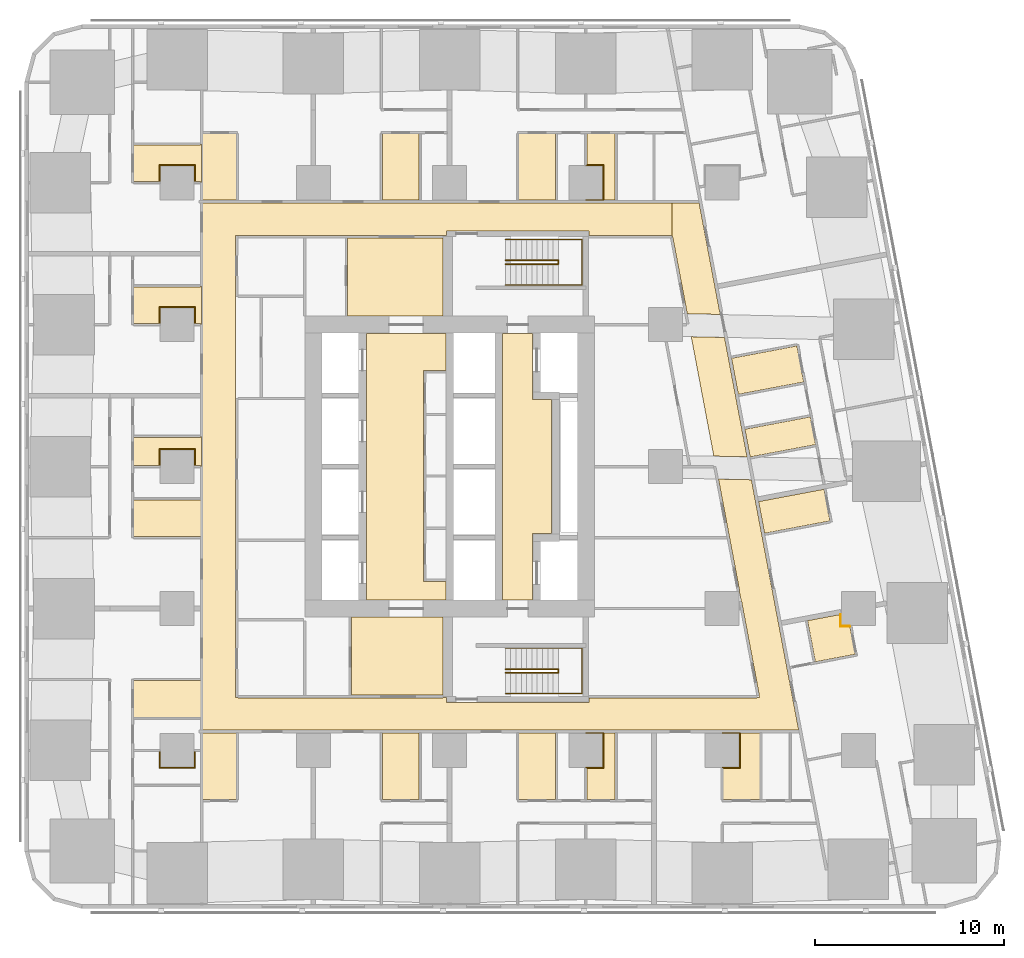
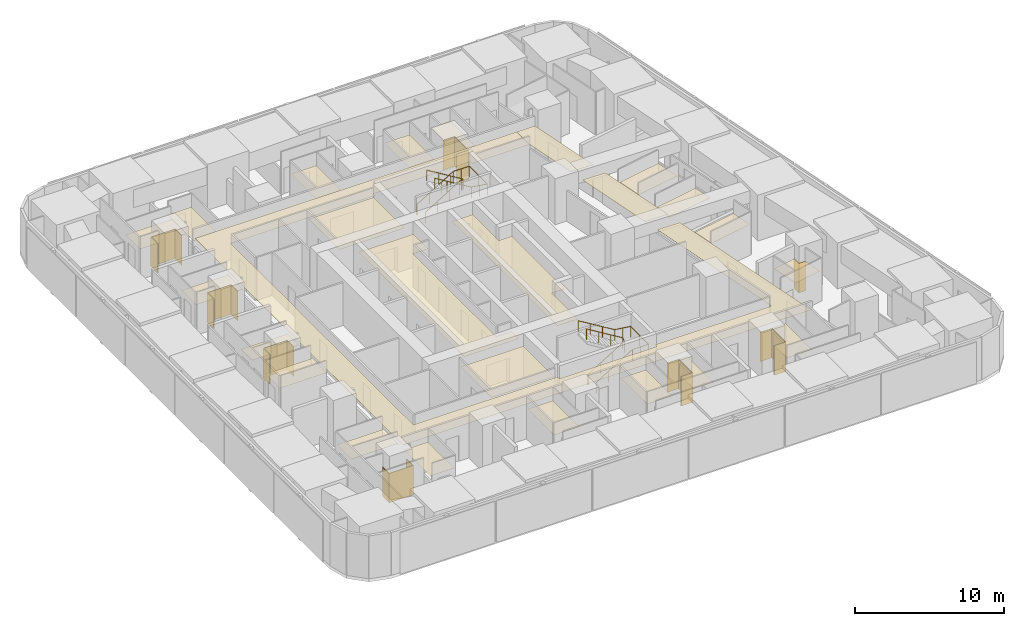
# One storey, part 16 of 17: 33 coverings, 4 railings.
"""IFC4 building model written with IfcOpenShell, lengths in metres."""

from ifc_helpers import new_model, si_unit, direction, frame, origin, origin_2d, place, context, subcontext, project, spatial, polyline, circle, outline, extrude, material, layer, layer_set, type_object, element, save


model = new_model("IFC4")

# Units and contexts
model_context = context("Model", 3, precision=1e-05, world=origin(), true_north=direction((0.0, 1.0)))
body_context = subcontext(model_context, "Body", "Model", "MODEL_VIEW")
ifc_project = project(units=[si_unit("LENGTHUNIT", "METRE"), si_unit("AREAUNIT", "SQUARE_METRE"), si_unit("VOLUMEUNIT", "CUBIC_METRE"), si_unit("PLANEANGLEUNIT", "RADIAN"), si_unit("MASSUNIT", "GRAM", prefix="KILO")], contexts=[model_context])

# Site, building, storey
site_placement = place(None, origin())
site = spatial("IfcSite", under=ifc_project, at=site_placement, CompositionType="ELEMENT")
building_placement = place(site_placement, origin())
building = spatial("IfcBuilding", under=site, at=building_placement, Name="Sheger Commons Tower", CompositionType="ELEMENT")
storey_placement = place(building_placement, frame((0.0, 0.0, 27.5)))
storey = spatial("IfcBuildingStorey", under=building, at=storey_placement, Name="L06", CompositionType="ELEMENT", Elevation=27.5)

# Railings
ifc_material_1 = material(Name="Steel handrail, black powder-coated", Category="steel")
railing_type = type_object("IfcRailingType", Name="HANDRAIL 900", PredefinedType="HANDRAIL", material=ifc_material_1)
railing_1_placement = place(storey_placement, frame((24.550048828125, 11.60009765625, 0.17041015625)))
element("IfcRailing", 1, at=railing_1_placement, inside=storey, type_object=railing_type, Name="Stair S1 handrail L06", PredefinedType="HANDRAIL", context=body_context, shape_type="SweptSolid", body=[
    extrude(circle(Radius=0.02392578125, at=origin_2d()), frame((0.0, 0.0, 0.8759765625), z_axis=(0.854169791009, 0.0, 0.51999420009), x_axis=(0.0, 1.0, 0.0)), (0.0, 0.0, 1.0), 3.278076171875),
    extrude(circle(Radius=0.02392578125, at=origin_2d()), frame((2.800048828125, 0.0, 2.58056640625), z_axis=(0.0, 0.761090297175, 0.648645943136), x_axis=(-1.0, 0.0, 0.0)), (0.0, 0.0, 1.0), 0.2626953125),
    extrude(circle(Radius=0.02392578125, at=origin_2d()), frame((2.800048828125, 0.199951171875, 2.7509765625), z_axis=(-0.854169791009, 0.0, 0.51999420009), x_axis=(0.0, -1.0, 0.0)), (0.0, 0.0, 1.0), 3.278076171875),
    extrude(circle(Radius=0.02099609375, at=origin_2d()), origin(), (0.0, 0.0, 1.0), 0.851806640625),
    extrude(circle(Radius=0.02099609375, at=origin_2d()), frame((0.933349609375, 0.0, 0.568115234375)), (0.0, 0.0, 1.0), 0.851806640625),
    extrude(circle(Radius=0.02099609375, at=origin_2d()), frame((1.86669921875, 0.0, 1.136474609375)), (0.0, 0.0, 1.0), 0.851806640625),
    extrude(circle(Radius=0.02099609375, at=origin_2d()), frame((2.800048828125, 0.0, 1.70458984375)), (0.0, 0.0, 1.0), 0.851806640625),
    extrude(circle(Radius=0.02099609375, at=origin_2d()), frame((2.800048828125, 0.199951171875, 1.875)), (0.0, 0.0, 1.0), 0.851806640625),
    extrude(circle(Radius=0.02099609375, at=origin_2d()), frame((1.86669921875, 0.199951171875, 2.443115234375)), (0.0, 0.0, 1.0), 0.851806640625),
    extrude(circle(Radius=0.02099609375, at=origin_2d()), frame((0.933349609375, 0.199951171875, 3.011474609375)), (0.0, 0.0, 1.0), 0.851806640625),
    extrude(circle(Radius=0.02099609375, at=origin_2d()), frame((0.0, 0.199951171875, 3.57958984375)), (0.0, 0.0, 1.0), 0.851806640625),
])
railing_2_placement = place(storey_placement, frame((24.550048828125, 10.5, 0.17041015625)))
element("IfcRailing", 2, at=railing_2_placement, inside=storey, type_object=railing_type, Name="Stair S1 handrail L06", PredefinedType="HANDRAIL", context=body_context, shape_type="SweptSolid", body=[
    extrude(circle(Radius=0.02392578125, at=origin_2d()), frame((0.0, 0.0, 0.8759765625), z_axis=(0.854169791009, 0.0, 0.51999420009), x_axis=(0.0, 1.0, 0.0)), (0.0, 0.0, 1.0), 3.278076171875),
    extrude(circle(Radius=0.02392578125, at=origin_2d()), frame((2.800048828125, 0.0, 2.58056640625), z_axis=(1.0, 0.0, 0.0), x_axis=(0.0, 1.0, 0.0)), (0.0, 0.0, 1.0), 1.25),
    extrude(circle(Radius=0.02392578125, at=origin_2d()), frame((4.050048828125, 0.0, 2.58056640625), z_axis=(0.0, 1.0, 0.0), x_axis=(-1.0, 0.0, 0.0)), (0.0, 0.0, 1.0), 2.39990234375),
    extrude(circle(Radius=0.02392578125, at=origin_2d()), frame((4.050048828125, 2.39990234375, 2.58056640625), z_axis=(-0.990834877927, 0.0, 0.135078661092), x_axis=(0.0, -1.0, 0.0)), (0.0, 0.0, 1.0), 1.261474609375),
    extrude(circle(Radius=0.02392578125, at=origin_2d()), frame((2.800048828125, 2.39990234375, 2.7509765625), z_axis=(-0.854169791009, 0.0, 0.51999420009), x_axis=(0.0, -1.0, 0.0)), (0.0, 0.0, 1.0), 3.278076171875),
    extrude(circle(Radius=0.02099609375, at=origin_2d()), origin(), (0.0, 0.0, 1.0), 0.851806640625),
    extrude(circle(Radius=0.02099609375, at=origin_2d()), frame((0.933349609375, 0.0, 0.568115234375)), (0.0, 0.0, 1.0), 0.851806640625),
    extrude(circle(Radius=0.02099609375, at=origin_2d()), frame((1.86669921875, 0.0, 1.136474609375)), (0.0, 0.0, 1.0), 0.851806640625),
    extrude(circle(Radius=0.02099609375, at=origin_2d()), frame((2.800048828125, 0.0, 1.70458984375)), (0.0, 0.0, 1.0), 0.851806640625),
    extrude(circle(Radius=0.02099609375, at=origin_2d()), frame((3.425048828125, 0.0, 1.70458984375)), (0.0, 0.0, 1.0), 0.851806640625),
    extrude(circle(Radius=0.02099609375, at=origin_2d()), frame((4.050048828125, 0.0, 1.70458984375)), (0.0, 0.0, 1.0), 0.851806640625),
    extrude(circle(Radius=0.02099609375, at=origin_2d()), frame((4.050048828125, 1.199951171875, 1.70458984375)), (0.0, 0.0, 1.0), 0.851806640625),
    extrude(circle(Radius=0.02099609375, at=origin_2d()), frame((4.050048828125, 2.39990234375, 1.70458984375)), (0.0, 0.0, 1.0), 0.851806640625),
    extrude(circle(Radius=0.02099609375, at=origin_2d()), frame((3.425048828125, 2.39990234375, 1.789794921875)), (0.0, 0.0, 1.0), 0.851806640625),
    extrude(circle(Radius=0.02099609375, at=origin_2d()), frame((2.800048828125, 2.39990234375, 1.875)), (0.0, 0.0, 1.0), 0.851806640625),
    extrude(circle(Radius=0.02099609375, at=origin_2d()), frame((1.86669921875, 2.39990234375, 2.443115234375)), (0.0, 0.0, 1.0), 0.851806640625),
    extrude(circle(Radius=0.02099609375, at=origin_2d()), frame((0.933349609375, 2.39990234375, 3.011474609375)), (0.0, 0.0, 1.0), 0.851806640625),
    extrude(circle(Radius=0.02099609375, at=origin_2d()), frame((0.0, 2.39990234375, 3.57958984375)), (0.0, 0.0, 1.0), 0.851806640625),
])
railing_3_placement = place(storey_placement, frame((24.550048828125, 33.39990234375, 0.17041015625)))
element("IfcRailing", 3, at=railing_3_placement, inside=storey, type_object=railing_type, Name="Stair S2 handrail L06", PredefinedType="HANDRAIL", context=body_context, shape_type="SweptSolid", body=[
    extrude(circle(Radius=0.02392578125, at=origin_2d()), frame((0.0, 0.0, 0.8759765625), z_axis=(0.854169791009, 0.0, 0.51999420009), x_axis=(0.0, 1.0, 0.0)), (0.0, 0.0, 1.0), 3.278076171875),
    extrude(circle(Radius=0.02392578125, at=origin_2d()), frame((2.800048828125, 0.0, 2.58056640625), z_axis=(0.0, -0.761090297175, 0.648645943136), x_axis=(1.0, 0.0, 0.0)), (0.0, 0.0, 1.0), 0.2626953125),
    extrude(circle(Radius=0.02392578125, at=origin_2d()), frame((2.800048828125, -0.199951171875, 2.7509765625), z_axis=(-0.854169791009, 0.0, 0.51999420009), x_axis=(0.0, -1.0, 0.0)), (0.0, 0.0, 1.0), 3.278076171875),
    extrude(circle(Radius=0.02099609375, at=origin_2d()), origin(), (0.0, 0.0, 1.0), 0.851806640625),
    extrude(circle(Radius=0.02099609375, at=origin_2d()), frame((0.933349609375, 0.0, 0.568115234375)), (0.0, 0.0, 1.0), 0.851806640625),
    extrude(circle(Radius=0.02099609375, at=origin_2d()), frame((1.86669921875, 0.0, 1.136474609375)), (0.0, 0.0, 1.0), 0.851806640625),
    extrude(circle(Radius=0.02099609375, at=origin_2d()), frame((2.800048828125, 0.0, 1.70458984375)), (0.0, 0.0, 1.0), 0.851806640625),
    extrude(circle(Radius=0.02099609375, at=origin_2d()), frame((2.800048828125, -0.199951171875, 1.875)), (0.0, 0.0, 1.0), 0.851806640625),
    extrude(circle(Radius=0.02099609375, at=origin_2d()), frame((1.86669921875, -0.199951171875, 2.443115234375)), (0.0, 0.0, 1.0), 0.851806640625),
    extrude(circle(Radius=0.02099609375, at=origin_2d()), frame((0.933349609375, -0.199951171875, 3.011474609375)), (0.0, 0.0, 1.0), 0.851806640625),
    extrude(circle(Radius=0.02099609375, at=origin_2d()), frame((0.0, -0.199951171875, 3.57958984375)), (0.0, 0.0, 1.0), 0.851806640625),
])
railing_4_placement = place(storey_placement, frame((24.550048828125, 34.5, 0.17041015625)))
element("IfcRailing", 4, at=railing_4_placement, inside=storey, type_object=railing_type, Name="Stair S2 handrail L06", PredefinedType="HANDRAIL", context=body_context, shape_type="SweptSolid", body=[
    extrude(circle(Radius=0.02392578125, at=origin_2d()), frame((0.0, 0.0, 0.8759765625), z_axis=(0.854169791009, 0.0, 0.51999420009), x_axis=(0.0, 1.0, 0.0)), (0.0, 0.0, 1.0), 3.278076171875),
    extrude(circle(Radius=0.02392578125, at=origin_2d()), frame((2.800048828125, 0.0, 2.58056640625), z_axis=(1.0, 0.0, 0.0), x_axis=(0.0, 1.0, 0.0)), (0.0, 0.0, 1.0), 1.25),
    extrude(circle(Radius=0.02392578125, at=origin_2d()), frame((4.050048828125, 0.0, 2.58056640625), z_axis=(0.0, -1.0, 0.0), x_axis=(1.0, 0.0, 0.0)), (0.0, 0.0, 1.0), 2.39990234375),
    extrude(circle(Radius=0.02392578125, at=origin_2d()), frame((4.050048828125, -2.39990234375, 2.58056640625), z_axis=(-0.990834877927, 0.0, 0.135078661092), x_axis=(0.0, -1.0, 0.0)), (0.0, 0.0, 1.0), 1.261474609375),
    extrude(circle(Radius=0.02392578125, at=origin_2d()), frame((2.800048828125, -2.39990234375, 2.7509765625), z_axis=(-0.854169791009, 0.0, 0.51999420009), x_axis=(0.0, -1.0, 0.0)), (0.0, 0.0, 1.0), 3.278076171875),
    extrude(circle(Radius=0.02099609375, at=origin_2d()), origin(), (0.0, 0.0, 1.0), 0.851806640625),
    extrude(circle(Radius=0.02099609375, at=origin_2d()), frame((0.933349609375, 0.0, 0.568115234375)), (0.0, 0.0, 1.0), 0.851806640625),
    extrude(circle(Radius=0.02099609375, at=origin_2d()), frame((1.86669921875, 0.0, 1.136474609375)), (0.0, 0.0, 1.0), 0.851806640625),
    extrude(circle(Radius=0.02099609375, at=origin_2d()), frame((2.800048828125, 0.0, 1.70458984375)), (0.0, 0.0, 1.0), 0.851806640625),
    extrude(circle(Radius=0.02099609375, at=origin_2d()), frame((3.425048828125, 0.0, 1.70458984375)), (0.0, 0.0, 1.0), 0.851806640625),
    extrude(circle(Radius=0.02099609375, at=origin_2d()), frame((4.050048828125, 0.0, 1.70458984375)), (0.0, 0.0, 1.0), 0.851806640625),
    extrude(circle(Radius=0.02099609375, at=origin_2d()), frame((4.050048828125, -1.199951171875, 1.70458984375)), (0.0, 0.0, 1.0), 0.851806640625),
    extrude(circle(Radius=0.02099609375, at=origin_2d()), frame((4.050048828125, -2.39990234375, 1.70458984375)), (0.0, 0.0, 1.0), 0.851806640625),
    extrude(circle(Radius=0.02099609375, at=origin_2d()), frame((3.425048828125, -2.39990234375, 1.789794921875)), (0.0, 0.0, 1.0), 0.851806640625),
    extrude(circle(Radius=0.02099609375, at=origin_2d()), frame((2.800048828125, -2.39990234375, 1.875)), (0.0, 0.0, 1.0), 0.851806640625),
    extrude(circle(Radius=0.02099609375, at=origin_2d()), frame((1.86669921875, -2.39990234375, 2.443115234375)), (0.0, 0.0, 1.0), 0.851806640625),
    extrude(circle(Radius=0.02099609375, at=origin_2d()), frame((0.933349609375, -2.39990234375, 3.011474609375)), (0.0, 0.0, 1.0), 0.851806640625),
    extrude(circle(Radius=0.02099609375, at=origin_2d()), frame((0.0, -2.39990234375, 3.57958984375)), (0.0, 0.0, 1.0), 0.851806640625),
])

# Coverings
ifc_material_2 = material(Name="Moisture-resistant gypsum plasterboard 15 mm on a suspended galvanised steel grid", Category="steel")
ifc_layer_1 = layer(ifc_material_2, 0.014892578125)
ifc_layer_set_1 = layer_set([ifc_layer_1], Name="MOISTURE-RESISTANT CEILING 15")
covering_type_1 = type_object("IfcCoveringType", Name="MOISTURE-RESISTANT CEILING 15", PredefinedType="CEILING", material=ifc_layer_set_1)
covering_1_placement = place(storey_placement, frame((0.0, 0.0, 2.39990234375)))
element("IfcCovering", 5, at=covering_1_placement, inside=storey, type_object=covering_type_1, Name="L06-01.B1 ceiling", PredefinedType="CEILING", context=body_context, shape_type="SweptSolid", body=[
    extrude(outline(polyline([(8.429931640625, 9.199951171875), (8.5, 9.199951171875), (8.5, 11.25), (8.429931640625, 11.25), (8.429931640625, 11.195068359375), (4.905029296875, 11.195068359375), (4.905029296875, 9.2548828125), (8.429931640625, 9.2548828125), (8.429931640625, 9.199951171875)])), origin(), (0.0, 0.0, 1.0), 0.01513671875),
])
covering_2_placement = place(storey_placement, frame((0.0, 0.0, 2.39990234375)))
element("IfcCovering", 6, at=covering_2_placement, inside=storey, type_object=covering_type_1, Name="L06-02.B1 ceiling", PredefinedType="CEILING", context=body_context, shape_type="SweptSolid", body=[
    extrude(outline(polyline([(8.429931640625, 18.75), (8.5, 18.75), (8.5, 20.800048828125), (8.429931640625, 20.800048828125), (8.429931640625, 20.7451171875), (4.905029296875, 20.7451171875), (4.905029296875, 18.804931640625), (8.429931640625, 18.804931640625), (8.429931640625, 18.75)])), origin(), (0.0, 0.0, 1.0), 0.01513671875),
])
covering_3_placement = place(storey_placement, frame((0.0, 0.0, 2.39990234375)))
element("IfcCovering", 7, at=covering_3_placement, inside=storey, type_object=covering_type_1, Name="L06-02.B2 ceiling", PredefinedType="CEILING", context=body_context, shape_type="SweptSolid", body=[
    extrude(outline(polyline([(8.429931640625, 22.5), (8.5, 22.5), (8.5, 24.10009765625), (8.429931640625, 24.10009765625), (8.429931640625, 24.044921875), (4.905029296875, 24.044921875), (4.905029296875, 22.554931640625), (6.294921875, 22.554931640625), (6.294921875, 23.405029296875), (8.10498046875, 23.405029296875), (8.10498046875, 22.554931640625), (8.429931640625, 22.554931640625), (8.429931640625, 22.5)])), origin(), (0.0, 0.0, 1.0), 0.01513671875),
])
covering_4_placement = place(storey_placement, frame((0.0, 0.0, 2.39990234375)))
element("IfcCovering", 8, at=covering_4_placement, inside=storey, type_object=covering_type_1, Name="L06-03.B1 ceiling", PredefinedType="CEILING", context=body_context, shape_type="SweptSolid", body=[
    extrude(outline(polyline([(8.429931640625, 30.0), (8.5, 30.0), (8.5, 32.050048828125), (8.429931640625, 32.050048828125), (8.429931640625, 31.9951171875), (4.905029296875, 31.9951171875), (4.905029296875, 30.054931640625), (6.294921875, 30.054931640625), (6.294921875, 30.905029296875), (8.10498046875, 30.905029296875), (8.10498046875, 30.054931640625), (8.429931640625, 30.054931640625), (8.429931640625, 30.0)])), origin(), (0.0, 0.0, 1.0), 0.01513671875),
])
covering_5_placement = place(storey_placement, frame((0.0, 0.0, 2.39990234375)))
element("IfcCovering", 9, at=covering_5_placement, inside=storey, type_object=covering_type_1, Name="L06-04.B1 ceiling", PredefinedType="CEILING", context=body_context, shape_type="SweptSolid", body=[
    extrude(outline(polyline([(8.429931640625, 37.5), (8.5, 37.5), (8.5, 39.550048828125), (8.429931640625, 39.550048828125), (8.429931640625, 39.4951171875), (4.905029296875, 39.4951171875), (4.905029296875, 37.554931640625), (6.294921875, 37.554931640625), (6.294921875, 38.405029296875), (8.10498046875, 38.405029296875), (8.10498046875, 37.554931640625), (8.429931640625, 37.554931640625), (8.429931640625, 37.5)])), origin(), (0.0, 0.0, 1.0), 0.01513671875),
])
covering_6_placement = place(storey_placement, frame((0.0, 0.0, 2.39990234375)))
element("IfcCovering", 10, at=covering_6_placement, inside=storey, type_object=covering_type_1, Name="L06-05.B1 ceiling", PredefinedType="CEILING", context=body_context, shape_type="SweptSolid", body=[
    extrude(outline(polyline([(8.5, 4.85009765625), (8.570068359375, 4.85009765625), (8.570068359375, 4.905029296875), (10.3349609375, 4.905029296875), (10.3349609375, 8.419921875), (8.5, 8.419921875), (8.5, 4.85009765625)])), origin(), (0.0, 0.0, 1.0), 0.01513671875),
])
covering_7_placement = place(storey_placement, frame((0.0, 0.0, 2.39990234375)))
element("IfcCovering", 11, at=covering_7_placement, inside=storey, type_object=covering_type_1, Name="L06-06.B1 ceiling", PredefinedType="CEILING", context=body_context, shape_type="SweptSolid", body=[
    extrude(outline(polyline([(18.054931640625, 4.905029296875), (19.9951171875, 4.905029296875), (19.9951171875, 8.419921875), (18.054931640625, 8.419921875), (18.054931640625, 4.905029296875)])), origin(), (0.0, 0.0, 1.0), 0.01513671875),
])
covering_8_placement = place(storey_placement, frame((0.0, 0.0, 2.39990234375)))
element("IfcCovering", 12, at=covering_8_placement, inside=storey, type_object=covering_type_1, Name="L06-07.B1 ceiling", PredefinedType="CEILING", context=body_context, shape_type="SweptSolid", body=[
    extrude(outline(polyline([(25.2548828125, 4.905029296875), (27.195068359375, 4.905029296875), (27.195068359375, 8.419921875), (25.2548828125, 8.419921875), (25.2548828125, 4.905029296875)])), origin(), (0.0, 0.0, 1.0), 0.01513671875),
])
covering_9_placement = place(storey_placement, frame((0.0, 0.0, 2.39990234375)))
element("IfcCovering", 13, at=covering_9_placement, inside=storey, type_object=covering_type_1, Name="L06-07.B2 ceiling", PredefinedType="CEILING", context=body_context, shape_type="SweptSolid", body=[
    extrude(outline(polyline([(28.85498046875, 4.905029296875), (30.344970703125, 4.905029296875), (30.344970703125, 8.419921875), (28.800048828125, 8.419921875), (28.800048828125, 8.405029296875), (29.705078125, 8.405029296875), (29.705078125, 6.594970703125), (28.85498046875, 6.594970703125), (28.85498046875, 4.905029296875)])), origin(), (0.0, 0.0, 1.0), 0.01513671875),
])
covering_10_placement = place(storey_placement, frame((0.0, 0.0, 2.39990234375)))
element("IfcCovering", 14, at=covering_10_placement, inside=storey, type_object=covering_type_1, Name="L06-08.B1 ceiling", PredefinedType="CEILING", context=body_context, shape_type="SweptSolid", body=[
    extrude(outline(polyline([(36.054931640625, 4.905029296875), (37.9951171875, 4.905029296875), (37.9951171875, 8.419921875), (36.0, 8.419921875), (36.0, 8.405029296875), (36.905029296875, 8.405029296875), (36.905029296875, 6.594970703125), (36.054931640625, 6.594970703125), (36.054931640625, 4.905029296875)])), origin(), (0.0, 0.0, 1.0), 0.01513671875),
])
covering_11_placement = place(storey_placement, frame((0.0, 0.0, 2.39990234375)))
element("IfcCovering", 15, at=covering_11_placement, inside=storey, type_object=covering_type_1, Name="L06-10.B1 ceiling", PredefinedType="CEILING", context=body_context, shape_type="SweptSolid", body=[
    extrude(outline(polyline([(36.860107421875, 26.319091796875), (40.31298828125, 26.970947265625), (39.952880859375, 28.8779296875), (36.5, 28.22509765625), (36.860107421875, 26.319091796875)])), origin(), (0.0, 0.0, 1.0), 0.01513671875),
])
covering_12_placement = place(storey_placement, frame((0.0, 0.0, 2.39990234375)))
element("IfcCovering", 16, at=covering_12_placement, inside=storey, type_object=covering_type_1, Name="L06-10.B2 ceiling", PredefinedType="CEILING", context=body_context, shape_type="SweptSolid", body=[
    extrude(outline(polyline([(37.485107421875, 23.010986328125), (40.93896484375, 23.6630859375), (40.662109375, 25.1279296875), (37.2080078125, 24.47509765625), (37.485107421875, 23.010986328125)])), origin(), (0.0, 0.0, 1.0), 0.01513671875),
])
covering_13_placement = place(storey_placement, frame((0.0, 0.0, 2.39990234375)))
element("IfcCovering", 17, at=covering_13_placement, inside=storey, type_object=covering_type_1, Name="L06-11.B1 ceiling", PredefinedType="CEILING", context=body_context, shape_type="SweptSolid", body=[
    extrude(outline(polyline([(38.2470703125, 18.97607421875), (41.700927734375, 19.62890625), (41.384033203125, 21.303955078125), (37.929931640625, 20.652099609375), (38.2470703125, 18.97607421875)])), origin(), (0.0, 0.0, 1.0), 0.01513671875),
])
covering_14_placement = place(storey_placement, frame((0.0, 0.0, 2.39990234375)))
element("IfcCovering", 18, at=covering_14_placement, inside=storey, type_object=covering_type_1, Name="L06-12.B1 ceiling", PredefinedType="CEILING", context=body_context, shape_type="SweptSolid", body=[
    extrude(outline(polyline([(40.875, 12.174072265625), (43.031982421875, 12.58203125), (42.7490234375, 14.080078125), (42.280029296875, 14.080078125), (42.280029296875, 14.693115234375), (40.51806640625, 14.360107421875), (40.925048828125, 12.2060546875), (40.87109375, 12.196044921875), (40.875, 12.174072265625)])), origin(), (0.0, 0.0, 1.0), 0.01513671875),
])
covering_15_placement = place(storey_placement, frame((0.0, 0.0, 2.39990234375)))
element("IfcCovering", 19, at=covering_15_placement, inside=storey, type_object=covering_type_1, Name="L06-13.B1 ceiling", PredefinedType="CEILING", context=body_context, shape_type="SweptSolid", body=[
    extrude(outline(polyline([(8.5, 36.580078125), (10.3349609375, 36.580078125), (10.3349609375, 40.094970703125), (8.570068359375, 40.094970703125), (8.570068359375, 40.14990234375), (8.5, 40.14990234375), (8.5, 36.580078125)])), origin(), (0.0, 0.0, 1.0), 0.01513671875),
])
covering_16_placement = place(storey_placement, frame((0.0, 0.0, 2.39990234375)))
element("IfcCovering", 20, at=covering_16_placement, inside=storey, type_object=covering_type_1, Name="L06-14.B1 ceiling", PredefinedType="CEILING", context=body_context, shape_type="SweptSolid", body=[
    extrude(outline(polyline([(18.054931640625, 36.580078125), (19.9951171875, 36.580078125), (19.9951171875, 40.094970703125), (18.054931640625, 40.094970703125), (18.054931640625, 36.580078125)])), origin(), (0.0, 0.0, 1.0), 0.01513671875),
])
covering_17_placement = place(storey_placement, frame((0.0, 0.0, 2.39990234375)))
element("IfcCovering", 21, at=covering_17_placement, inside=storey, type_object=covering_type_1, Name="L06-15.B1 ceiling", PredefinedType="CEILING", context=body_context, shape_type="SweptSolid", body=[
    extrude(outline(polyline([(25.2548828125, 36.580078125), (27.195068359375, 36.580078125), (27.195068359375, 40.094970703125), (25.2548828125, 40.094970703125), (25.2548828125, 36.580078125)])), origin(), (0.0, 0.0, 1.0), 0.01513671875),
])
covering_18_placement = place(storey_placement, frame((0.0, 0.0, 2.39990234375)))
element("IfcCovering", 22, at=covering_18_placement, inside=storey, type_object=covering_type_1, Name="L06-15.B2 ceiling", PredefinedType="CEILING", context=body_context, shape_type="SweptSolid", body=[
    extrude(outline(polyline([(28.800048828125, 36.580078125), (30.344970703125, 36.580078125), (30.344970703125, 40.094970703125), (28.85498046875, 40.094970703125), (28.85498046875, 38.405029296875), (29.705078125, 38.405029296875), (29.705078125, 36.594970703125), (28.800048828125, 36.594970703125), (28.800048828125, 36.580078125)])), origin(), (0.0, 0.0, 1.0), 0.01513671875),
])
ifc_material_3 = material(Name="Gypsum plasterboard 15 mm on a suspended steel grid", Category="steel")
ifc_layer_2 = layer(ifc_material_3, 0.014892578125)
ifc_layer_set_2 = layer_set([ifc_layer_2], Name="SUSPENDED CEILING 15")
covering_type_2 = type_object("IfcCoveringType", Name="SUSPENDED CEILING 15", PredefinedType="CEILING", material=ifc_layer_set_2)
covering_19_placement = place(storey_placement, frame((0.0, 0.0, 2.699951171875)))
element("IfcCovering", 23, at=covering_19_placement, inside=storey, type_object=covering_type_2, Name="L06-CO ceiling", PredefinedType="CEILING", context=body_context, shape_type="SweptSolid", body=[
    extrude(outline(polyline([(8.5, 8.580078125), (40.048095703125, 8.580078125), (37.550048828125, 21.802978515625), (35.81103515625, 21.837890625), (36.927978515625, 15.9208984375), (36.910888671875, 15.9169921875), (37.010009765625, 15.39501953125), (37.027099609375, 15.39794921875), (37.967041015625, 10.4208984375), (37.949951171875, 10.4169921875), (37.971923828125, 10.300048828125), (37.841064453125, 10.300048828125), (37.841064453125, 10.281982421875), (28.955078125, 10.281982421875), (28.955078125, 10.044921875), (21.445068359375, 10.044921875), (21.445068359375, 10.300048828125), (21.2548828125, 10.300048828125), (21.2548828125, 10.281982421875), (10.407958984375, 10.281982421875), (10.407958984375, 10.294921875), (10.281982421875, 10.294921875), (10.281982421875, 26.10498046875), (10.300048828125, 26.10498046875), (10.300048828125, 31.4951171875), (10.281982421875, 31.4951171875), (10.281982421875, 34.705078125), (10.407958984375, 34.705078125), (10.407958984375, 34.718017578125), (21.2548828125, 34.718017578125), (21.2548828125, 34.699951171875), (21.445068359375, 34.699951171875), (21.445068359375, 34.955078125), (28.955078125, 34.955078125), (28.955078125, 34.718017578125), (33.3359375, 34.718017578125), (33.3359375, 34.699951171875), (33.361083984375, 34.699951171875), (33.361083984375, 36.419921875), (8.5, 36.419921875), (8.5, 8.580078125)])), origin(), (0.0, 0.0, 1.0), 0.01513671875),
])
covering_20_placement = place(storey_placement, frame((0.0, 0.0, 2.699951171875)))
element("IfcCovering", 24, at=covering_20_placement, inside=storey, type_object=covering_type_2, Name="L06-CO ceiling", PredefinedType="CEILING", context=body_context, shape_type="SweptSolid", body=[
    extrude(outline(polyline([(37.321044921875, 23.01806640625), (36.12890625, 29.323974609375), (34.37109375, 29.364013671875), (35.56298828125, 23.052978515625), (37.321044921875, 23.01806640625)])), origin(), (0.0, 0.0, 1.0), 0.01513671875),
])
covering_21_placement = place(storey_placement, frame((0.0, 0.0, 2.699951171875)))
element("IfcCovering", 25, at=covering_21_placement, inside=storey, type_object=covering_type_2, Name="L06-CO ceiling", PredefinedType="CEILING", context=body_context, shape_type="SweptSolid", body=[
    extrude(outline(polyline([(35.89990234375, 30.5400390625), (34.77392578125, 36.5), (34.77001953125, 36.5), (34.77001953125, 36.419921875), (33.365966796875, 36.419921875), (33.365966796875, 34.699951171875), (33.365966796875, 34.697998046875), (33.364013671875, 34.697998046875), (33.382080078125, 34.60205078125), (33.39892578125, 34.60498046875), (34.159912109375, 30.5791015625), (35.89990234375, 30.5400390625)])), origin(), (0.0, 0.0, 1.0), 0.01513671875),
])
covering_22_placement = place(storey_placement, frame((0.0, 0.0, 2.699951171875)))
element("IfcCovering", 26, at=covering_22_placement, inside=storey, type_object=covering_type_2, Name="L06-SVS1 ceiling", PredefinedType="CEILING", context=body_context, shape_type="SweptSolid", body=[
    extrude(outline(polyline([(16.406982421875, 10.41796875), (21.2451171875, 10.41796875), (21.2451171875, 14.544921875), (16.406982421875, 14.544921875), (16.406982421875, 10.41796875)])), origin(), (0.0, 0.0, 1.0), 0.01513671875),
])
covering_23_placement = place(storey_placement, frame((0.0, 0.0, 2.699951171875)))
element("IfcCovering", 27, at=covering_23_placement, inside=storey, type_object=covering_type_2, Name="L06-SVN1 ceiling", PredefinedType="CEILING", context=body_context, shape_type="SweptSolid", body=[
    extrude(outline(polyline([(16.217041015625, 30.455078125), (21.2451171875, 30.455078125), (21.2451171875, 34.58203125), (16.217041015625, 34.58203125), (16.217041015625, 30.455078125)])), origin(), (0.0, 0.0, 1.0), 0.01513671875),
])
covering_24_placement = place(storey_placement, frame((0.0, 0.0, 2.699951171875)))
element("IfcCovering", 28, at=covering_24_placement, inside=storey, type_object=covering_type_2, Name="L06-LL ceiling", PredefinedType="CEILING", context=body_context, shape_type="SweptSolid", body=[
    extrude(outline(polyline([(17.205078125, 15.455078125), (21.39990234375, 15.455078125), (21.39990234375, 16.43310546875), (20.35791015625, 16.43310546875), (20.23291015625, 16.43310546875), (20.23291015625, 27.56689453125), (20.35791015625, 27.56689453125), (21.39990234375, 27.56689453125), (21.39990234375, 29.544921875), (17.205078125, 29.544921875), (17.205078125, 15.455078125)])), origin(), (0.0, 0.0, 1.0), 0.01513671875),
])
covering_25_placement = place(storey_placement, frame((0.0, 0.0, 2.699951171875)))
element("IfcCovering", 29, at=covering_25_placement, inside=storey, type_object=covering_type_2, Name="L06-FL ceiling", PredefinedType="CEILING", context=body_context, shape_type="SweptSolid", body=[
    extrude(outline(polyline([(24.405029296875, 15.455078125), (25.9951171875, 15.455078125), (25.9951171875, 18.955078125), (26.9951171875, 18.955078125), (26.9951171875, 26.044921875), (25.9951171875, 26.044921875), (25.9951171875, 29.544921875), (24.405029296875, 29.544921875), (24.405029296875, 15.455078125)])), origin(), (0.0, 0.0, 1.0), 0.01513671875),
])
ifc_material_4 = material(Name="Moisture-resistant gypsum board 12.5 mm on 25 mm treated timber battens, tanked and tiled", Category="wood")
ifc_layer_3 = layer(ifc_material_4, 0.050048828125)
ifc_layer_set_3 = layer_set([ifc_layer_3], Name="WET-ROOM COLUMN LINING")
covering_type_3 = type_object("IfcCoveringType", Name="WET-ROOM COLUMN LINING", PredefinedType="CLADDING", material=ifc_layer_set_3)
covering_26_placement = place(storey_placement, origin())
element("IfcCovering", 30, at=covering_26_placement, inside=storey, type_object=covering_type_3, Name="Laundry room column lining C8 L06", PredefinedType="CLADDING", context=body_context, shape_type="SweptSolid", body=[
    extrude(outline(polyline([(6.300048828125, 7.5), (6.300048828125, 6.60009765625), (8.10009765625, 6.60009765625), (8.10009765625, 7.5), (8.10107421875, 7.5), (8.10107421875, 7.449951171875), (8.14990234375, 7.449951171875), (8.14990234375, 6.550048828125), (6.25, 6.550048828125), (6.25, 7.449951171875), (6.299072265625, 7.449951171875), (6.299072265625, 7.5), (6.300048828125, 7.5)])), origin(), (0.0, 0.0, 1.0), 2.39990234375),
])
covering_27_placement = place(storey_placement, origin())
element("IfcCovering", 31, at=covering_27_placement, inside=storey, type_object=covering_type_3, Name="Shower room column lining C8 L06", PredefinedType="CLADDING", context=body_context, shape_type="SweptSolid", body=[
    extrude(outline(polyline([(29.75, 6.550048828125), (28.85009765625, 6.550048828125), (28.85009765625, 6.59912109375), (28.800048828125, 6.59912109375), (28.800048828125, 6.60009765625), (29.699951171875, 6.60009765625), (29.699951171875, 8.39990234375), (28.800048828125, 8.39990234375), (28.800048828125, 8.425048828125), (29.75, 8.425048828125), (29.75, 6.550048828125)])), origin(), (0.0, 0.0, 1.0), 2.39990234375),
])
covering_28_placement = place(storey_placement, origin())
element("IfcCovering", 32, at=covering_28_placement, inside=storey, type_object=covering_type_3, Name="Bathroom column lining C8 L06", PredefinedType="CLADDING", context=body_context, shape_type="SweptSolid", body=[
    extrude(outline(polyline([(36.949951171875, 6.550048828125), (36.050048828125, 6.550048828125), (36.050048828125, 6.59912109375), (36.0, 6.59912109375), (36.0, 6.60009765625), (36.89990234375, 6.60009765625), (36.89990234375, 8.39990234375), (36.0, 8.39990234375), (36.0, 8.425048828125), (36.949951171875, 8.425048828125), (36.949951171875, 6.550048828125)])), origin(), (0.0, 0.0, 1.0), 2.39990234375),
])
covering_29_placement = place(storey_placement, origin())
element("IfcCovering", 33, at=covering_29_placement, inside=storey, type_object=covering_type_3, Name="Shower room column lining C8 L06", PredefinedType="CLADDING", context=body_context, shape_type="SweptSolid", body=[
    extrude(outline(polyline([(42.280029296875, 14.080078125), (42.75390625, 14.080078125), (42.760009765625, 14.050048828125), (42.25, 14.050048828125), (42.25, 14.693115234375), (42.280029296875, 14.698974609375), (42.280029296875, 14.080078125)])), origin(), (0.0, 0.0, 1.0), 2.39990234375),
])
covering_30_placement = place(storey_placement, origin())
element("IfcCovering", 34, at=covering_30_placement, inside=storey, type_object=covering_type_3, Name="Shower room column lining C8 L06", PredefinedType="CLADDING", context=body_context, shape_type="SweptSolid", body=[
    extrude(outline(polyline([(8.14990234375, 23.449951171875), (8.14990234375, 22.550048828125), (8.10107421875, 22.550048828125), (8.10107421875, 22.5), (8.10009765625, 22.5), (8.10009765625, 23.39990234375), (6.300048828125, 23.39990234375), (6.300048828125, 22.5), (6.299072265625, 22.5), (6.299072265625, 22.550048828125), (6.25, 22.550048828125), (6.25, 23.449951171875), (8.14990234375, 23.449951171875)])), origin(), (0.0, 0.0, 1.0), 2.39990234375),
])
covering_31_placement = place(storey_placement, origin())
element("IfcCovering", 35, at=covering_31_placement, inside=storey, type_object=covering_type_3, Name="Bathroom column lining C8 L06", PredefinedType="CLADDING", context=body_context, shape_type="SweptSolid", body=[
    extrude(outline(polyline([(8.14990234375, 30.949951171875), (8.14990234375, 30.050048828125), (8.10107421875, 30.050048828125), (8.10107421875, 30.0), (8.10009765625, 30.0), (8.10009765625, 30.89990234375), (6.300048828125, 30.89990234375), (6.300048828125, 30.0), (6.299072265625, 30.0), (6.299072265625, 30.050048828125), (6.25, 30.050048828125), (6.25, 30.949951171875), (8.14990234375, 30.949951171875)])), origin(), (0.0, 0.0, 1.0), 2.39990234375),
])
covering_32_placement = place(storey_placement, origin())
element("IfcCovering", 36, at=covering_32_placement, inside=storey, type_object=covering_type_3, Name="Bathroom column lining C8 L06", PredefinedType="CLADDING", context=body_context, shape_type="SweptSolid", body=[
    extrude(outline(polyline([(8.14990234375, 38.449951171875), (8.14990234375, 37.550048828125), (8.10107421875, 37.550048828125), (8.10107421875, 37.5), (8.10009765625, 37.5), (8.10009765625, 38.39990234375), (6.300048828125, 38.39990234375), (6.300048828125, 37.5), (6.299072265625, 37.5), (6.299072265625, 37.550048828125), (6.25, 37.550048828125), (6.25, 38.449951171875), (8.14990234375, 38.449951171875)])), origin(), (0.0, 0.0, 1.0), 2.39990234375),
])
covering_33_placement = place(storey_placement, origin())
element("IfcCovering", 37, at=covering_33_placement, inside=storey, type_object=covering_type_3, Name="Shower room column lining C8 L06", PredefinedType="CLADDING", context=body_context, shape_type="SweptSolid", body=[
    extrude(outline(polyline([(29.75, 36.574951171875), (28.800048828125, 36.574951171875), (28.800048828125, 36.60009765625), (29.699951171875, 36.60009765625), (29.699951171875, 38.39990234375), (28.800048828125, 38.39990234375), (28.800048828125, 38.40087890625), (28.85009765625, 38.40087890625), (28.85009765625, 38.449951171875), (29.75, 38.449951171875), (29.75, 36.574951171875)])), origin(), (0.0, 0.0, 1.0), 2.39990234375),
])

save(model, "model.ifc")
